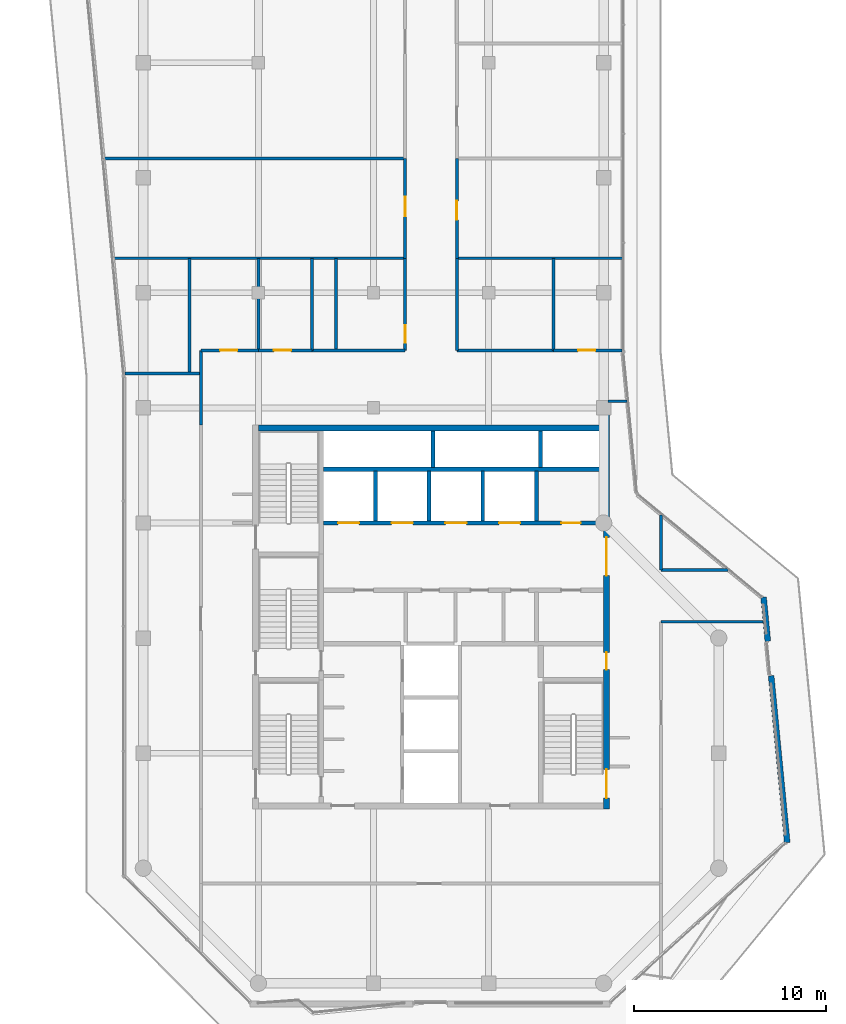
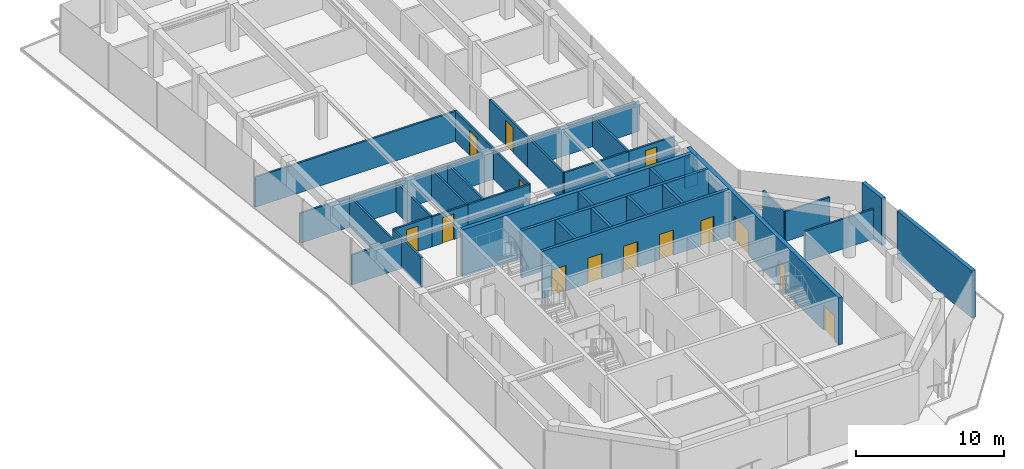
# One storey, part 19 of 22: 35 walls, 14 doors, 14 openings.
"""IFC4 building model written with IfcOpenShell, lengths in metres."""

from ifc_helpers import new_model, si_unit, direction, frame, frame_2d, origin, place, context, subcontext, project, spatial, rectangle, extrude, material, layer, layer_set, type_object, element, fill, save


model = new_model("IFC4")

# Units and contexts
model_context = context("Model", 3, precision=1e-05, world=origin(), true_north=direction((0.0, 1.0)))
body_context = subcontext(model_context, "Body", "Model", "MODEL_VIEW")
ifc_project = project(units=[si_unit("LENGTHUNIT", "METRE"), si_unit("AREAUNIT", "SQUARE_METRE"), si_unit("VOLUMEUNIT", "CUBIC_METRE"), si_unit("PLANEANGLEUNIT", "RADIAN"), si_unit("MASSUNIT", "GRAM", prefix="KILO")], contexts=[model_context])

# Site, building, storey
site_placement = place(None, origin())
site = spatial("IfcSite", under=ifc_project, at=site_placement, CompositionType="ELEMENT")
building_placement = place(site_placement, origin())
building = spatial("IfcBuilding", under=site, at=building_placement, Name="Welwitschia Terrace Campus", CompositionType="ELEMENT")
storey_placement = place(building_placement, frame((0.0, 0.0, 310.39990234375)))
storey = spatial("IfcBuildingStorey", under=building, at=storey_placement, Name="L69", CompositionType="ELEMENT", Elevation=310.39990234375)

# Wall, openings, doors
ifc_material_1 = material(Name="Concrete C32/40", Category="concrete")
ifc_layer_1 = layer(ifc_material_1, 0.22509765625)
ifc_layer_set_1 = layer_set([ifc_layer_1], Name="Concrete C32/40")
wall_type_1 = type_object("IfcWallType", Name="Core partition 225 Concrete C32/40", PredefinedType="PARTITIONING", material=ifc_layer_set_1)
wall_1_placement = place(storey_placement, frame((24.0, 20.0, 0.0), z_axis=(0.0, 0.0, 1.0), x_axis=(-1.0, 0.0, 0.0)))
wall_1 = element("IfcWall", 1, at=wall_1_placement, inside=storey, type_object=wall_type_1, Name="Shaft wall", PredefinedType="PARTITIONING", context=body_context, shape_type="SweptSolid", body=[
    extrude(rectangle(XDim=14.60009765625, YDim=0.22509765625, at=frame_2d((7.300048828125, 0.0))), origin(), (0.0, 0.0, 1.0), 3.900146484375),
])
opening_1_placement = place(wall_1_placement, frame((12.75, 0.0, 0.0)))
opening_1 = element("IfcOpeningElement", 2, at=opening_1_placement, cuts=wall_1, Name="Opening LD", PredefinedType="OPENING", context=body_context, shape_type="SweptSolid", body=[
    extrude(rectangle(XDim=1.10009765625, YDim=2.10009765625, at=frame_2d((0.550048828125, 1.050048828125))), frame((0.0, 0.12255859375, 0.0), z_axis=(0.0, -1.0, 0.0), x_axis=(1.0, 0.0, 0.0)), (0.0, 0.0, 1.0), 0.2451171875),
])
opening_2_placement = place(wall_1_placement, frame((9.949951171875, 0.0, 0.0)))
opening_2 = element("IfcOpeningElement", 3, at=opening_2_placement, cuts=wall_1, Name="Opening LD", PredefinedType="OPENING", context=body_context, shape_type="SweptSolid", body=[
    extrude(rectangle(XDim=1.10009765625, YDim=2.10009765625, at=frame_2d((0.550048828125, 1.050048828125))), frame((0.0, 0.12255859375, 0.0), z_axis=(0.0, -1.0, 0.0), x_axis=(1.0, 0.0, 0.0)), (0.0, 0.0, 1.0), 0.2451171875),
])
opening_3_placement = place(wall_1_placement, frame((7.14990234375, 0.0, 0.0)))
opening_3 = element("IfcOpeningElement", 4, at=opening_3_placement, cuts=wall_1, Name="Opening LD", PredefinedType="OPENING", context=body_context, shape_type="SweptSolid", body=[
    extrude(rectangle(XDim=1.10009765625, YDim=2.10009765625, at=frame_2d((0.550048828125, 1.050048828125))), frame((0.0, 0.12255859375, 0.0), z_axis=(0.0, -1.0, 0.0), x_axis=(1.0, 0.0, 0.0)), (0.0, 0.0, 1.0), 0.2451171875),
])
opening_4_placement = place(wall_1_placement, frame((4.35009765625, 0.0, 0.0)))
opening_4 = element("IfcOpeningElement", 5, at=opening_4_placement, cuts=wall_1, Name="Opening LD", PredefinedType="OPENING", context=body_context, shape_type="SweptSolid", body=[
    extrude(rectangle(XDim=1.10009765625, YDim=2.10009765625, at=frame_2d((0.550048828125, 1.050048828125))), frame((0.0, 0.12255859375, 0.0), z_axis=(0.0, -1.0, 0.0), x_axis=(1.0, 0.0, 0.0)), (0.0, 0.0, 1.0), 0.2451171875),
])
opening_5_placement = place(wall_1_placement, frame((1.199951171875, 0.0, 0.0)))
opening_5 = element("IfcOpeningElement", 6, at=opening_5_placement, cuts=wall_1, Name="Opening DR10", PredefinedType="OPENING", context=body_context, shape_type="SweptSolid", body=[
    extrude(rectangle(XDim=1.0, YDim=2.10009765625, at=frame_2d((0.5, 1.050048828125))), frame((0.0, 0.12255859375, 0.0), z_axis=(0.0, -1.0, 0.0), x_axis=(1.0, 0.0, 0.0)), (0.0, 0.0, 1.0), 0.2451171875),
])
ifc_material_2 = material(Name="Steel S275", Category="steel")
door_type_1 = type_object("IfcDoorType", Name="Core door DR10", OperationType="SINGLE_SWING_LEFT", PredefinedType="DOOR", material=ifc_material_2)
door_1_placement = place(opening_5_placement, origin())
door_1 = element("IfcDoor", 7, at=door_1_placement, inside=storey, type_object=door_type_1, Name="Door EH-D", OperationType="SINGLE_SWING_LEFT", OverallHeight=2.10009765625, OverallWidth=1.0, PredefinedType="DOOR", context=body_context, shape_type="SweptSolid", body=[
    extrude(rectangle(XDim=1.0, YDim=2.10009765625, at=frame_2d((0.5, 1.050048828125))), frame((0.0, 0.02490234375, 0.0), z_axis=(0.0, -1.0, 0.0), x_axis=(1.0, 0.0, 0.0)), (0.0, 0.0, 1.0), 0.050048828125),
])
fill(opening_5, door_1)
ifc_material_3 = material(Name="Stainless steel 304", Category="steel")
door_type_2 = type_object("IfcDoorType", Name="Lift landing door", OperationType="DOUBLE_DOOR_SLIDING", PredefinedType="DOOR", material=ifc_material_3)
door_2_placement = place(opening_1_placement, origin())
door_2 = element("IfcDoor", 8, at=door_2_placement, inside=storey, type_object=door_type_2, Name="Landing door HR1", OperationType="DOUBLE_DOOR_SLIDING", OverallHeight=2.10009765625, OverallWidth=1.10009765625, PredefinedType="DOOR", context=body_context, shape_type="SweptSolid", body=[
    extrude(rectangle(XDim=1.10009765625, YDim=2.10009765625, at=frame_2d((0.550048828125, 1.050048828125))), frame((0.0, 0.02490234375, 0.0), z_axis=(0.0, -1.0, 0.0), x_axis=(1.0, 0.0, 0.0)), (0.0, 0.0, 1.0), 0.050048828125),
])
fill(opening_1, door_2)
door_3_placement = place(opening_2_placement, origin())
door_3 = element("IfcDoor", 9, at=door_3_placement, inside=storey, type_object=door_type_2, Name="Landing door HR2", OperationType="DOUBLE_DOOR_SLIDING", OverallHeight=2.10009765625, OverallWidth=1.10009765625, PredefinedType="DOOR", context=body_context, shape_type="SweptSolid", body=[
    extrude(rectangle(XDim=1.10009765625, YDim=2.10009765625, at=frame_2d((0.550048828125, 1.050048828125))), frame((0.0, 0.02490234375, 0.0), z_axis=(0.0, -1.0, 0.0), x_axis=(1.0, 0.0, 0.0)), (0.0, 0.0, 1.0), 0.050048828125),
])
fill(opening_2, door_3)
door_4_placement = place(opening_3_placement, origin())
door_4 = element("IfcDoor", 10, at=door_4_placement, inside=storey, type_object=door_type_2, Name="Landing door HR3", OperationType="DOUBLE_DOOR_SLIDING", OverallHeight=2.10009765625, OverallWidth=1.10009765625, PredefinedType="DOOR", context=body_context, shape_type="SweptSolid", body=[
    extrude(rectangle(XDim=1.10009765625, YDim=2.10009765625, at=frame_2d((0.550048828125, 1.050048828125))), frame((0.0, 0.02490234375, 0.0), z_axis=(0.0, -1.0, 0.0), x_axis=(1.0, 0.0, 0.0)), (0.0, 0.0, 1.0), 0.050048828125),
])
fill(opening_3, door_4)
door_5_placement = place(opening_4_placement, origin())
door_5 = element("IfcDoor", 11, at=door_5_placement, inside=storey, type_object=door_type_2, Name="Landing door HR4", OperationType="DOUBLE_DOOR_SLIDING", OverallHeight=2.10009765625, OverallWidth=1.10009765625, PredefinedType="DOOR", context=body_context, shape_type="SweptSolid", body=[
    extrude(rectangle(XDim=1.10009765625, YDim=2.10009765625, at=frame_2d((0.550048828125, 1.050048828125))), frame((0.0, 0.02490234375, 0.0), z_axis=(0.0, -1.0, 0.0), x_axis=(1.0, 0.0, 0.0)), (0.0, 0.0, 1.0), 0.050048828125),
])
fill(opening_4, door_5)

# Walls
wall_2_placement = place(storey_placement, frame((9.39990234375, 22.800048828125, 0.0), z_axis=(0.0, 0.0, 1.0), x_axis=(1.0, 0.0, 0.0)))
element("IfcWall", 12, at=wall_2_placement, inside=storey, type_object=wall_type_1, Name="Shaft wall", PredefinedType="PARTITIONING", context=body_context, shape_type="SweptSolid", body=[
    extrude(rectangle(XDim=14.60009765625, YDim=0.22509765625, at=frame_2d((7.300048828125, 0.0))), origin(), (0.0, 0.0, 1.0), 3.900146484375),
])
wall_3_placement = place(storey_placement, frame((20.5, 20.10009765625, 0.0), z_axis=(0.0, 0.0, 1.0), x_axis=(0.0, 1.0, 0.0)))
element("IfcWall", 13, at=wall_3_placement, inside=storey, type_object=wall_type_1, Name="Shaft wall", PredefinedType="PARTITIONING", context=body_context, shape_type="SweptSolid", body=[
    extrude(rectangle(XDim=2.599853515625, YDim=0.22509765625, at=frame_2d((1.2998046875, 0.0))), origin(), (0.0, 0.0, 1.0), 3.900146484375),
])
ifc_material_4 = material(Name="Concrete C50/60", Category="concrete")
ifc_layer_2 = layer(ifc_material_4, 0.199951171875)
ifc_layer_set_2 = layer_set([ifc_layer_2], Name="Concrete C50/60")
wall_type_2 = type_object("IfcWallType", Name="Core wall 200 Concrete C50/60", PredefinedType="SHEAR", material=ifc_layer_set_2)
for number, where, z_axis, x_axis, name in (
    (14, (15.10009765625, 22.89990234375, 0.0), (0.0, 0.0, 1.0), (0.0, 1.0, 0.0), "Core wall"),
    (15, (20.699951171875, 22.89990234375, 0.0), (0.0, 0.0, 1.0), (0.0, 1.0, 0.0), "Core wall"),
):
    element("IfcWall", number, at=place(storey_placement, frame(where, z_axis=z_axis, x_axis=x_axis)), inside=storey, type_object=wall_type_2, Name=name, PredefinedType="SHEAR", context=body_context, shape_type="SweptSolid", body=[
        extrude(rectangle(XDim=1.900146484375, YDim=0.199951171875, at=frame_2d((0.9501953125, 0.0))), origin(), (0.0, 0.0, 1.0), 3.900146484375),
    ])

# Wall, openings, doors
ifc_material_5 = material(Name="Concrete C50/60", Category="concrete")
ifc_layer_3 = layer(ifc_material_5, 0.300048828125)
ifc_layer_set_3 = layer_set([ifc_layer_3], Name="Concrete C50/60")
wall_type_3 = type_object("IfcWallType", Name="Core wall 300 Concrete C50/60", PredefinedType="SHEAR", material=ifc_layer_set_3)
wall_4_placement = place(storey_placement, frame((24.14990234375, 25.655029296875, 0.0), z_axis=(0.0, 0.0, 1.0), x_axis=(0.0, -1.0, 0.0)))
wall_4 = element("IfcWall", 16, at=wall_4_placement, inside=storey, type_object=wall_type_3, Name="Core outer wall", PredefinedType="SHEAR", context=body_context, shape_type="SweptSolid", body=[
    extrude(rectangle(XDim=20.554931640625, YDim=0.300048828125, at=frame_2d((10.27734375, 0.0))), origin(), (0.0, 0.0, 1.0), 3.900146484375),
])
opening_6_placement = place(wall_4_placement, frame((18.5048828125, 0.0, 0.0)))
opening_6 = element("IfcOpeningElement", 17, at=opening_6_placement, cuts=wall_4, Name="Opening DS15", PredefinedType="OPENING", context=body_context, shape_type="SweptSolid", body=[
    extrude(rectangle(XDim=1.5, YDim=2.10009765625, at=frame_2d((0.75, 1.050048828125))), frame((0.0, 0.159912109375, 0.0), z_axis=(0.0, -1.0, 0.0), x_axis=(1.0, 0.0, 0.0)), (0.0, 0.0, 1.0), 0.320068359375),
])
opening_7_placement = place(wall_4_placement, frame((12.405029296875, 0.0, 0.0)))
opening_7 = element("IfcOpeningElement", 18, at=opening_7_placement, cuts=wall_4, Name="Opening DR09", PredefinedType="OPENING", context=body_context, shape_type="SweptSolid", body=[
    extrude(rectangle(XDim=0.89990234375, YDim=2.10009765625, at=frame_2d((0.449951171875, 1.050048828125))), frame((0.0, 0.159912109375, 0.0), z_axis=(0.0, -1.0, 0.0), x_axis=(1.0, 0.0, 0.0)), (0.0, 0.0, 1.0), 0.320068359375),
])
opening_8_placement = place(wall_4_placement, frame((6.405029296875, 0.0, 0.0)))
opening_8 = element("IfcOpeningElement", 19, at=opening_8_placement, cuts=wall_4, Name="Opening DL20", PredefinedType="OPENING", context=body_context, shape_type="SweptSolid", body=[
    extrude(rectangle(XDim=2.0, YDim=2.10009765625, at=frame_2d((1.0, 1.050048828125))), frame((0.0, 0.159912109375, 0.0), z_axis=(0.0, -1.0, 0.0), x_axis=(1.0, 0.0, 0.0)), (0.0, 0.0, 1.0), 0.320068359375),
])
ifc_material_6 = material(Name="Steel S275", Category="steel")
door_type_3 = type_object("IfcDoorType", Name="Core door DL20", OperationType="DOUBLE_DOOR_SINGLE_SWING", PredefinedType="DOOR", material=ifc_material_6)
door_6_placement = place(opening_8_placement, origin())
door_6 = element("IfcDoor", 20, at=door_6_placement, inside=storey, type_object=door_type_3, Name="Door LOBBY-out", OperationType="DOUBLE_DOOR_SINGLE_SWING", OverallHeight=2.10009765625, OverallWidth=2.0, PredefinedType="DOOR", context=body_context, shape_type="SweptSolid", body=[
    extrude(rectangle(XDim=2.0, YDim=2.10009765625, at=frame_2d((1.0, 1.050048828125))), frame((0.0, 0.02490234375, 0.0), z_axis=(0.0, -1.0, 0.0), x_axis=(1.0, 0.0, 0.0)), (0.0, 0.0, 1.0), 0.050048828125),
])
fill(opening_8, door_6)
ifc_material_7 = material(Name="Steel S275", Category="steel")
door_type_4 = type_object("IfcDoorType", Name="Core door DR09", OperationType="SINGLE_SWING_LEFT", PredefinedType="DOOR", material=ifc_material_7)
door_7_placement = place(opening_7_placement, origin())
door_7 = element("IfcDoor", 21, at=door_7_placement, inside=storey, type_object=door_type_4, Name="Door F1B-out", OperationType="SINGLE_SWING_RIGHT", OverallHeight=2.10009765625, OverallWidth=0.89990234375, PredefinedType="DOOR", context=body_context, shape_type="SweptSolid", body=[
    extrude(rectangle(XDim=0.89990234375, YDim=2.10009765625, at=frame_2d((0.449951171875, 1.050048828125))), frame((0.0, 0.02490234375, 0.0), z_axis=(0.0, -1.0, 0.0), x_axis=(1.0, 0.0, 0.0)), (0.0, 0.0, 1.0), 0.050048828125),
])
fill(opening_7, door_7)
ifc_material_8 = material(Name="Steel S275", Category="steel")
door_type_5 = type_object("IfcDoorType", Name="Core door DS15", OperationType="DOUBLE_DOOR_SINGLE_SWING", PredefinedType="DOOR", material=ifc_material_8)
door_8_placement = place(opening_6_placement, origin())
door_8 = element("IfcDoor", 22, at=door_8_placement, inside=storey, type_object=door_type_5, Name="Door S2-out", OperationType="DOUBLE_DOOR_SINGLE_SWING", OverallHeight=2.10009765625, OverallWidth=1.5, PredefinedType="DOOR", context=body_context, shape_type="SweptSolid", body=[
    extrude(rectangle(XDim=1.5, YDim=2.10009765625, at=frame_2d((0.75, 1.050048828125))), frame((0.0, 0.02490234375, 0.0), z_axis=(0.0, -1.0, 0.0), x_axis=(1.0, 0.0, 0.0)), (0.0, 0.0, 1.0), 0.050048828125),
])
fill(opening_6, door_8)

# Walls
wall_5_placement = place(storey_placement, frame((6.0, 24.949951171875, 0.0), z_axis=(0.0, 0.0, 1.0), x_axis=(1.0, 0.0, 0.0)))
element("IfcWall", 23, at=wall_5_placement, inside=storey, type_object=wall_type_3, Name="Core outer wall", PredefinedType="SHEAR", context=body_context, shape_type="SweptSolid", body=[
    extrude(rectangle(XDim=18.0, YDim=0.300048828125, at=frame_2d((9.0, 0.0))), origin(), (0.0, 0.0, 1.0), 3.900146484375),
])
ifc_material_9 = material(Name="Gypsum board on steel studs", Category="steel")
ifc_layer_4 = layer(ifc_material_9, 0.14990234375)
ifc_layer_set_4 = layer_set([ifc_layer_4], Name="Gypsum board on steel studs")
wall_type_4 = type_object("IfcWallType", Name="Corridor partition 150 EI 30", PredefinedType="PARTITIONING", material=ifc_layer_set_4)
wall_6_placement = place(storey_placement, frame((-2.048583984375, 39.0, 0.0), z_axis=(0.0, 0.0, 1.0), x_axis=(1.0, 0.0, 0.0)))
element("IfcWall", 24, at=wall_6_placement, inside=storey, type_object=wall_type_4, Name="Partition", PredefinedType="PARTITIONING", context=body_context, shape_type="SweptSolid", body=[
    extrude(rectangle(XDim=15.698486328125, YDim=0.14990234375, at=frame_2d((7.84912109375, 0.0))), origin(), (0.0, 0.0, 1.0), 2.47998046875),
])
wall_7_placement = place(storey_placement, frame((-1.570068359375, 33.800048828125, 0.0), z_axis=(0.0, 0.0, 1.0), x_axis=(1.0, 0.0, 0.0)))
element("IfcWall", 25, at=wall_7_placement, inside=storey, type_object=wall_type_4, Name="Partition", PredefinedType="PARTITIONING", context=body_context, shape_type="SweptSolid", body=[
    extrude(rectangle(XDim=15.219970703125, YDim=0.14990234375, at=frame_2d((7.60986328125, 0.0))), origin(), (0.0, 0.0, 1.0), 2.47998046875),
])
wall_8_placement = place(storey_placement, frame((-0.968017578125, 27.800048828125, 0.0), z_axis=(0.0, 0.0, 1.0), x_axis=(1.0, 0.0, 0.0)))
element("IfcWall", 26, at=wall_8_placement, inside=storey, type_object=wall_type_4, Name="Partition", PredefinedType="PARTITIONING", context=body_context, shape_type="SweptSolid", body=[
    extrude(rectangle(XDim=3.968017578125, YDim=0.14990234375, at=frame_2d((1.98388671875, 0.0))), origin(), (0.0, 0.0, 1.0), 2.47998046875),
])
wall_9_placement = place(storey_placement, frame((2.39990234375, 27.800048828125, 0.0), z_axis=(0.0, 0.0, 1.0), x_axis=(0.0, 1.0, 0.0)))
element("IfcWall", 27, at=wall_9_placement, inside=storey, type_object=wall_type_4, Name="Partition", PredefinedType="PARTITIONING", context=body_context, shape_type="SweptSolid", body=[
    extrude(rectangle(XDim=6.0, YDim=0.14990234375, at=frame_2d((3.0, 0.0))), origin(), (0.0, 0.0, 1.0), 2.47998046875),
])
wall_10_placement = place(storey_placement, frame((3.0, 25.10009765625, 0.0), z_axis=(0.0, 0.0, 1.0), x_axis=(0.0, 1.0, 0.0)))
element("IfcWall", 28, at=wall_10_placement, inside=storey, type_object=wall_type_4, Name="Partition", PredefinedType="PARTITIONING", context=body_context, shape_type="SweptSolid", body=[
    extrude(rectangle(XDim=3.89990234375, YDim=0.14990234375, at=frame_2d((1.949951171875, 0.0))), origin(), (0.0, 0.0, 1.0), 2.47998046875),
])

# Wall, opening, door
wall_11_placement = place(storey_placement, frame((3.0, 29.0, 0.0), z_axis=(0.0, 0.0, 1.0), x_axis=(1.0, 0.0, 0.0)))
wall_11 = element("IfcWall", 29, at=wall_11_placement, inside=storey, type_object=wall_type_4, Name="Partition", PredefinedType="PARTITIONING", context=body_context, shape_type="SweptSolid", body=[
    extrude(rectangle(XDim=3.0, YDim=0.14990234375, at=frame_2d((1.5, 0.0))), origin(), (0.0, 0.0, 1.0), 2.47998046875),
])
opening_9_placement = place(wall_11_placement, frame((1.0, 0.0, 0.0)))
opening_9 = element("IfcOpeningElement", 30, at=opening_9_placement, cuts=wall_11, Name="Opening DI09", PredefinedType="OPENING", context=body_context, shape_type="SweptSolid", body=[
    extrude(rectangle(XDim=0.89990234375, YDim=2.10009765625, at=frame_2d((0.449951171875, 1.050048828125))), frame((0.0, 0.0849609375, 0.0), z_axis=(0.0, -1.0, 0.0), x_axis=(1.0, 0.0, 0.0)), (0.0, 0.0, 1.0), 0.169921875),
])
ifc_material_10 = material(Name="Timber veneered door", Category="wood")
door_type_6 = type_object("IfcDoorType", Name="Interior door DI09", OperationType="NOTDEFINED", PredefinedType="DOOR", material=ifc_material_10)
door_9_placement = place(opening_9_placement, origin())
door_9 = element("IfcDoor", 31, at=door_9_placement, inside=storey, type_object=door_type_6, Name="Door L69 1215", OperationType="SINGLE_SWING_RIGHT", OverallHeight=2.10009765625, OverallWidth=0.89990234375, PredefinedType="DOOR", context=body_context, shape_type="SweptSolid", body=[
    extrude(rectangle(XDim=0.89990234375, YDim=2.10009765625, at=frame_2d((0.449951171875, 1.050048828125))), frame((0.0, 0.02490234375, 0.0), z_axis=(0.0, -1.0, 0.0), x_axis=(1.0, 0.0, 0.0)), (0.0, 0.0, 1.0), 0.050048828125),
])
fill(opening_9, door_9)

# Wall
wall_12_placement = place(storey_placement, frame((6.0, 29.0, 0.0), z_axis=(0.0, 0.0, 1.0), x_axis=(0.0, 1.0, 0.0)))
element("IfcWall", 32, at=wall_12_placement, inside=storey, type_object=wall_type_4, Name="Partition", PredefinedType="PARTITIONING", context=body_context, shape_type="SweptSolid", body=[
    extrude(rectangle(XDim=4.800048828125, YDim=0.14990234375, at=frame_2d((2.39990234375, 0.0))), origin(), (0.0, 0.0, 1.0), 2.47998046875),
])

# Wall, opening, door
wall_13_placement = place(storey_placement, frame((6.0, 29.0, 0.0), z_axis=(0.0, 0.0, 1.0), x_axis=(1.0, 0.0, 0.0)))
wall_13 = element("IfcWall", 33, at=wall_13_placement, inside=storey, type_object=wall_type_4, Name="Partition", PredefinedType="PARTITIONING", context=body_context, shape_type="SweptSolid", body=[
    extrude(rectangle(XDim=2.800048828125, YDim=0.14990234375, at=frame_2d((1.39990234375, 0.0))), origin(), (0.0, 0.0, 1.0), 2.47998046875),
])
opening_10_placement = place(wall_13_placement, frame((0.800048828125, 0.0, 0.0)))
opening_10 = element("IfcOpeningElement", 34, at=opening_10_placement, cuts=wall_13, Name="Opening DI09", PredefinedType="OPENING", context=body_context, shape_type="SweptSolid", body=[
    extrude(rectangle(XDim=0.89990234375, YDim=2.10009765625, at=frame_2d((0.449951171875, 1.050048828125))), frame((0.0, 0.0849609375, 0.0), z_axis=(0.0, -1.0, 0.0), x_axis=(1.0, 0.0, 0.0)), (0.0, 0.0, 1.0), 0.169921875),
])
door_10_placement = place(opening_10_placement, origin())
door_10 = element("IfcDoor", 35, at=door_10_placement, inside=storey, type_object=door_type_6, Name="Door L69 1216", OperationType="SINGLE_SWING_LEFT", OverallHeight=2.10009765625, OverallWidth=0.89990234375, PredefinedType="DOOR", context=body_context, shape_type="SweptSolid", body=[
    extrude(rectangle(XDim=0.89990234375, YDim=2.10009765625, at=frame_2d((0.449951171875, 1.050048828125))), frame((0.0, 0.02490234375, 0.0), z_axis=(0.0, -1.0, 0.0), x_axis=(1.0, 0.0, 0.0)), (0.0, 0.0, 1.0), 0.050048828125),
])
fill(opening_10, door_10)

# Walls
wall_14_placement = place(storey_placement, frame((8.800048828125, 29.0, 0.0), z_axis=(0.0, 0.0, 1.0), x_axis=(0.0, 1.0, 0.0)))
element("IfcWall", 36, at=wall_14_placement, inside=storey, type_object=wall_type_4, Name="Partition", PredefinedType="PARTITIONING", context=body_context, shape_type="SweptSolid", body=[
    extrude(rectangle(XDim=4.800048828125, YDim=0.14990234375, at=frame_2d((2.39990234375, 0.0))), origin(), (0.0, 0.0, 1.0), 2.47998046875),
])
wall_15_placement = place(storey_placement, frame((8.800048828125, 29.0, 0.0), z_axis=(0.0, 0.0, 1.0), x_axis=(1.0, 0.0, 0.0)))
element("IfcWall", 37, at=wall_15_placement, inside=storey, type_object=wall_type_4, Name="Partition", PredefinedType="PARTITIONING", context=body_context, shape_type="SweptSolid", body=[
    extrude(rectangle(XDim=4.849853515625, YDim=0.14990234375, at=frame_2d((2.4248046875, 0.0))), origin(), (0.0, 0.0, 1.0), 2.47998046875),
])
wall_16_placement = place(storey_placement, frame((10.050048828125, 29.0, 0.0), z_axis=(0.0, 0.0, 1.0), x_axis=(0.0, 1.0, 0.0)))
element("IfcWall", 38, at=wall_16_placement, inside=storey, type_object=wall_type_4, Name="Partition", PredefinedType="PARTITIONING", context=body_context, shape_type="SweptSolid", body=[
    extrude(rectangle(XDim=4.800048828125, YDim=0.14990234375, at=frame_2d((2.39990234375, 0.0))), origin(), (0.0, 0.0, 1.0), 2.47998046875),
])

# Wall, opening, door
wall_17_placement = place(storey_placement, frame((13.64990234375, 29.0, 0.0), z_axis=(0.0, 0.0, 1.0), x_axis=(0.0, 1.0, 0.0)))
wall_17 = element("IfcWall", 39, at=wall_17_placement, inside=storey, type_object=wall_type_4, Name="Partition", PredefinedType="PARTITIONING", context=body_context, shape_type="SweptSolid", body=[
    extrude(rectangle(XDim=4.800048828125, YDim=0.14990234375, at=frame_2d((2.39990234375, 0.0))), origin(), (0.0, 0.0, 1.0), 2.47998046875),
])
opening_11_placement = place(wall_17_placement, frame((0.39990234375, 0.0, 0.0)))
opening_11 = element("IfcOpeningElement", 40, at=opening_11_placement, cuts=wall_17, Name="Opening DI09", PredefinedType="OPENING", context=body_context, shape_type="SweptSolid", body=[
    extrude(rectangle(XDim=0.89990234375, YDim=2.10009765625, at=frame_2d((0.449951171875, 1.050048828125))), frame((0.0, 0.0849609375, 0.0), z_axis=(0.0, -1.0, 0.0), x_axis=(1.0, 0.0, 0.0)), (0.0, 0.0, 1.0), 0.169921875),
])
door_11_placement = place(opening_11_placement, origin())
door_11 = element("IfcDoor", 41, at=door_11_placement, inside=storey, type_object=door_type_6, Name="Door L69 1217", OperationType="SINGLE_SWING_RIGHT", OverallHeight=2.10009765625, OverallWidth=0.89990234375, PredefinedType="DOOR", context=body_context, shape_type="SweptSolid", body=[
    extrude(rectangle(XDim=0.89990234375, YDim=2.10009765625, at=frame_2d((0.449951171875, 1.050048828125))), frame((0.0, 0.02490234375, 0.0), z_axis=(0.0, -1.0, 0.0), x_axis=(1.0, 0.0, 0.0)), (0.0, 0.0, 1.0), 0.050048828125),
])
fill(opening_11, door_11)

wall_18_placement = place(storey_placement, frame((13.64990234375, 33.800048828125, 0.0), z_axis=(0.0, 0.0, 1.0), x_axis=(0.0, 1.0, 0.0)))
wall_18 = element("IfcWall", 42, at=wall_18_placement, inside=storey, type_object=wall_type_4, Name="Partition", PredefinedType="PARTITIONING", context=body_context, shape_type="SweptSolid", body=[
    extrude(rectangle(XDim=5.199951171875, YDim=0.14990234375, at=frame_2d((2.60009765625, 0.0))), origin(), (0.0, 0.0, 1.0), 2.47998046875),
])
opening_12_placement = place(wall_18_placement, frame((2.199951171875, 0.0, 0.0)))
opening_12 = element("IfcOpeningElement", 43, at=opening_12_placement, cuts=wall_18, Name="Opening DI10", PredefinedType="OPENING", context=body_context, shape_type="SweptSolid", body=[
    extrude(rectangle(XDim=1.0, YDim=2.10009765625, at=frame_2d((0.5, 1.050048828125))), frame((0.0, 0.0849609375, 0.0), z_axis=(0.0, -1.0, 0.0), x_axis=(1.0, 0.0, 0.0)), (0.0, 0.0, 1.0), 0.169921875),
])
ifc_material_11 = material(Name="Timber veneered door", Category="wood")
door_type_7 = type_object("IfcDoorType", Name="Interior door DI10", OperationType="NOTDEFINED", PredefinedType="DOOR", material=ifc_material_11)
door_12_placement = place(opening_12_placement, origin())
door_12 = element("IfcDoor", 44, at=door_12_placement, inside=storey, type_object=door_type_7, Name="Door L69 1218", OperationType="SINGLE_SWING_LEFT", OverallHeight=2.10009765625, OverallWidth=1.0, PredefinedType="DOOR", context=body_context, shape_type="SweptSolid", body=[
    extrude(rectangle(XDim=1.0, YDim=2.10009765625, at=frame_2d((0.5, 1.050048828125))), frame((0.0, 0.02490234375, 0.0), z_axis=(0.0, -1.0, 0.0), x_axis=(1.0, 0.0, 0.0)), (0.0, 0.0, 1.0), 0.050048828125),
])
fill(opening_12, door_12)

# Walls
wall_19_placement = place(storey_placement, frame((16.35009765625, 29.0, 0.0), z_axis=(0.0, 0.0, 1.0), x_axis=(0.0, 1.0, 0.0)))
element("IfcWall", 45, at=wall_19_placement, inside=storey, type_object=wall_type_4, Name="Partition", PredefinedType="PARTITIONING", context=body_context, shape_type="SweptSolid", body=[
    extrude(rectangle(XDim=4.800048828125, YDim=0.14990234375, at=frame_2d((2.39990234375, 0.0))), origin(), (0.0, 0.0, 1.0), 2.47998046875),
])
wall_20_placement = place(storey_placement, frame((16.35009765625, 29.0, 0.0), z_axis=(0.0, 0.0, 1.0), x_axis=(1.0, 0.0, 0.0)))
element("IfcWall", 46, at=wall_20_placement, inside=storey, type_object=wall_type_4, Name="Partition", PredefinedType="PARTITIONING", context=body_context, shape_type="SweptSolid", body=[
    extrude(rectangle(XDim=5.02978515625, YDim=0.14990234375, at=frame_2d((2.514892578125, 0.0))), origin(), (0.0, 0.0, 1.0), 2.47998046875),
])
wall_21_placement = place(storey_placement, frame((16.35009765625, 33.800048828125, 0.0), z_axis=(0.0, 0.0, 1.0), x_axis=(1.0, 0.0, 0.0)))
element("IfcWall", 47, at=wall_21_placement, inside=storey, type_object=wall_type_4, Name="Partition", PredefinedType="PARTITIONING", context=body_context, shape_type="SweptSolid", body=[
    extrude(rectangle(XDim=8.6298828125, YDim=0.14990234375, at=frame_2d((4.31494140625, 0.0))), origin(), (0.0, 0.0, 1.0), 2.47998046875),
])

# Wall, opening, door
wall_22_placement = place(storey_placement, frame((16.35009765625, 39.0, 0.0), z_axis=(0.0, 0.0, 1.0), x_axis=(0.0, -1.0, 0.0)))
wall_22 = element("IfcWall", 48, at=wall_22_placement, inside=storey, type_object=wall_type_4, Name="Partition", PredefinedType="PARTITIONING", context=body_context, shape_type="SweptSolid", body=[
    extrude(rectangle(XDim=5.199951171875, YDim=0.14990234375, at=frame_2d((2.60009765625, 0.0))), origin(), (0.0, 0.0, 1.0), 2.47998046875),
])
opening_13_placement = place(wall_22_placement, frame((2.199951171875, 0.0, 0.0)))
opening_13 = element("IfcOpeningElement", 49, at=opening_13_placement, cuts=wall_22, Name="Opening DI10", PredefinedType="OPENING", context=body_context, shape_type="SweptSolid", body=[
    extrude(rectangle(XDim=1.0, YDim=2.10009765625, at=frame_2d((0.5, 1.050048828125))), frame((0.0, 0.0849609375, 0.0), z_axis=(0.0, -1.0, 0.0), x_axis=(1.0, 0.0, 0.0)), (0.0, 0.0, 1.0), 0.169921875),
])
door_13_placement = place(opening_13_placement, origin())
door_13 = element("IfcDoor", 50, at=door_13_placement, inside=storey, type_object=door_type_7, Name="Door L69 1222", OperationType="SINGLE_SWING_LEFT", OverallHeight=2.10009765625, OverallWidth=1.0, PredefinedType="DOOR", context=body_context, shape_type="SweptSolid", body=[
    extrude(rectangle(XDim=1.0, YDim=2.10009765625, at=frame_2d((0.5, 1.050048828125))), frame((0.0, 0.02490234375, 0.0), z_axis=(0.0, -1.0, 0.0), x_axis=(1.0, 0.0, 0.0)), (0.0, 0.0, 1.0), 0.050048828125),
])
fill(opening_13, door_13)

# Wall
wall_23_placement = place(storey_placement, frame((21.3798828125, 29.0, 0.0), z_axis=(0.0, 0.0, 1.0), x_axis=(0.0, 1.0, 0.0)))
element("IfcWall", 51, at=wall_23_placement, inside=storey, type_object=wall_type_4, Name="Partition", PredefinedType="PARTITIONING", context=body_context, shape_type="SweptSolid", body=[
    extrude(rectangle(XDim=4.800048828125, YDim=0.14990234375, at=frame_2d((2.39990234375, 0.0))), origin(), (0.0, 0.0, 1.0), 2.47998046875),
])

# Wall, opening, door
wall_24_placement = place(storey_placement, frame((21.3798828125, 29.0, 0.0), z_axis=(0.0, 0.0, 1.0), x_axis=(1.0, 0.0, 0.0)))
wall_24 = element("IfcWall", 52, at=wall_24_placement, inside=storey, type_object=wall_type_4, Name="Partition", PredefinedType="PARTITIONING", context=body_context, shape_type="SweptSolid", body=[
    extrude(rectangle(XDim=3.585205078125, YDim=0.14990234375, at=frame_2d((1.79248046875, 0.0))), origin(), (0.0, 0.0, 1.0), 2.47998046875),
])
opening_14_placement = place(wall_24_placement, frame((1.2900390625, 0.0, 0.0)))
opening_14 = element("IfcOpeningElement", 53, at=opening_14_placement, cuts=wall_24, Name="Opening DI09", PredefinedType="OPENING", context=body_context, shape_type="SweptSolid", body=[
    extrude(rectangle(XDim=0.89990234375, YDim=2.10009765625, at=frame_2d((0.449951171875, 1.050048828125))), frame((0.0, 0.0849609375, 0.0), z_axis=(0.0, -1.0, 0.0), x_axis=(1.0, 0.0, 0.0)), (0.0, 0.0, 1.0), 0.169921875),
])
door_14_placement = place(opening_14_placement, origin())
door_14 = element("IfcDoor", 54, at=door_14_placement, inside=storey, type_object=door_type_6, Name="Door L69 1226", OperationType="SINGLE_SWING_LEFT", OverallHeight=2.10009765625, OverallWidth=0.89990234375, PredefinedType="DOOR", context=body_context, shape_type="SweptSolid", body=[
    extrude(rectangle(XDim=0.89990234375, YDim=2.10009765625, at=frame_2d((0.449951171875, 1.050048828125))), frame((0.0, 0.02490234375, 0.0), z_axis=(0.0, -1.0, 0.0), x_axis=(1.0, 0.0, 0.0)), (0.0, 0.0, 1.0), 0.050048828125),
])
fill(opening_14, door_14)

# Walls
wall_25_placement = place(storey_placement, frame((24.239990234375, 26.35009765625, 0.0), z_axis=(0.0, 0.0, 1.0), x_axis=(1.0, 0.0, 0.0)))
element("IfcWall", 55, at=wall_25_placement, inside=storey, type_object=wall_type_4, Name="Partition", PredefinedType="PARTITIONING", context=body_context, shape_type="SweptSolid", body=[
    extrude(rectangle(XDim=0.97705078125, YDim=0.14990234375, at=frame_2d((0.488525390625, 0.0))), origin(), (0.0, 0.0, 1.0), 2.47998046875),
])
wall_26_placement = place(storey_placement, frame((27.0, 14.85009765625, 0.0), z_axis=(0.0, 0.0, 1.0), x_axis=(1.0, 0.0, 0.0)))
element("IfcWall", 56, at=wall_26_placement, inside=storey, type_object=wall_type_4, Name="Partition", PredefinedType="PARTITIONING", context=body_context, shape_type="SweptSolid", body=[
    extrude(rectangle(XDim=5.47265625, YDim=0.14990234375, at=frame_2d((2.736328125, 0.0))), origin(), (0.0, 0.0, 1.0), 2.47998046875),
])
wall_27_placement = place(storey_placement, frame((27.0, 17.550048828125, 0.0), z_axis=(0.0, 0.0, 1.0), x_axis=(0.0, 1.0, 0.0)))
element("IfcWall", 57, at=wall_27_placement, inside=storey, type_object=wall_type_4, Name="Partition", PredefinedType="PARTITIONING", context=body_context, shape_type="SweptSolid", body=[
    extrude(rectangle(XDim=2.869873046875, YDim=0.14990234375, at=frame_2d((1.43505859375, 0.0))), origin(), (0.0, 0.0, 1.0), 2.47998046875),
])
wall_28_placement = place(storey_placement, frame((27.0, 17.550048828125, 0.0), z_axis=(0.0, 0.0, 1.0), x_axis=(1.0, 0.0, 0.0)))
element("IfcWall", 58, at=wall_28_placement, inside=storey, type_object=wall_type_4, Name="Partition", PredefinedType="PARTITIONING", context=body_context, shape_type="SweptSolid", body=[
    extrude(rectangle(XDim=3.47998046875, YDim=0.14990234375, at=frame_2d((1.739990234375, 0.0))), origin(), (0.0, 0.0, 1.0), 2.47998046875),
])
ifc_material_12 = material(Name="Concrete C40/50", Category="concrete")
ifc_layer_5 = layer(ifc_material_12, 0.300048828125)
ifc_layer_set_5 = layer_set([ifc_layer_5], Name="Concrete C40/50")
wall_type_5 = type_object("IfcWallType", Name="Mass wall 300", PredefinedType="SOLIDWALL", material=ifc_layer_set_5)
wall_29_placement = place(storey_placement, frame((33.571044921875, 3.33642578125, 0.0), z_axis=(0.0, 0.0, 1.0), x_axis=(-0.095841215008, 0.995396635269, 0.0)))
element("IfcWall", 59, at=wall_29_placement, inside=storey, type_object=wall_type_5, Name="Mass wall L69.4.0", PredefinedType="SOLIDWALL", context=body_context, shape_type="SweptSolid", body=[
    extrude(rectangle(XDim=8.739990234375, YDim=0.300048828125, at=frame_2d((4.3701171875, 0.0))), origin(), (0.0, 0.0, 1.0), 3.900146484375),
])
wall_30_placement = place(storey_placement, frame((32.560791015625, 13.827880859375, 0.0), z_axis=(0.0, 0.0, 1.0), x_axis=(-0.095825017052, 0.995398194748, 0.0)))
element("IfcWall", 60, at=wall_30_placement, inside=storey, type_object=wall_type_5, Name="Mass wall L69.4.1", PredefinedType="SOLIDWALL", context=body_context, shape_type="SweptSolid", body=[
    extrude(rectangle(XDim=2.3134765625, YDim=0.300048828125, at=frame_2d((1.15673828125, 0.0))), origin(), (0.0, 0.0, 1.0), 3.900146484375),
])
ifc_material_13 = material(Name="Concrete C32/40", Category="concrete")
ifc_layer_6 = layer(ifc_material_13, 0.199951171875)
ifc_layer_set_6 = layer_set([ifc_layer_6], Name="Concrete C32/40")
wall_type_6 = type_object("IfcWallType", Name="Shaft wall 200 Concrete C32/40", PredefinedType="SOLIDWALL", material=ifc_layer_set_6)
for number, where, z_axis, x_axis, name in (
    (61, (12.10009765625, 20.10009765625, 0.0), (0.0, 0.0, 1.0), (0.0, 1.0, 0.0), "Shaft wall"),
    (62, (14.89990234375, 20.10009765625, 0.0), (0.0, 0.0, 1.0), (0.0, 1.0, 0.0), "Shaft wall"),
    (63, (17.699951171875, 20.10009765625, 0.0), (0.0, 0.0, 1.0), (0.0, 1.0, 0.0), "Shaft wall"),
):
    element("IfcWall", number, at=place(storey_placement, frame(where, z_axis=z_axis, x_axis=x_axis)), inside=storey, type_object=wall_type_6, Name=name, PredefinedType="SOLIDWALL", context=body_context, shape_type="SweptSolid", body=[
        extrude(rectangle(XDim=2.599853515625, YDim=0.199951171875, at=frame_2d((1.2998046875, 0.0))), origin(), (0.0, 0.0, 1.0), 3.900146484375),
    ])

save(model, "model.ifc")
